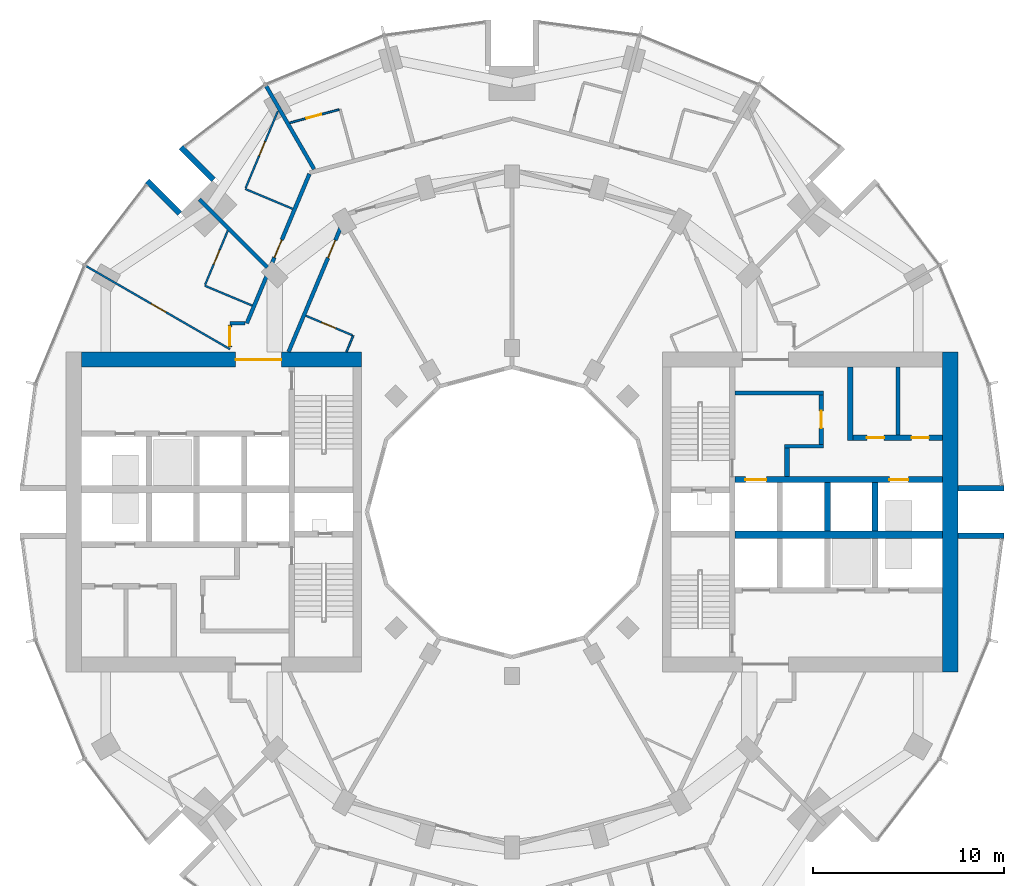
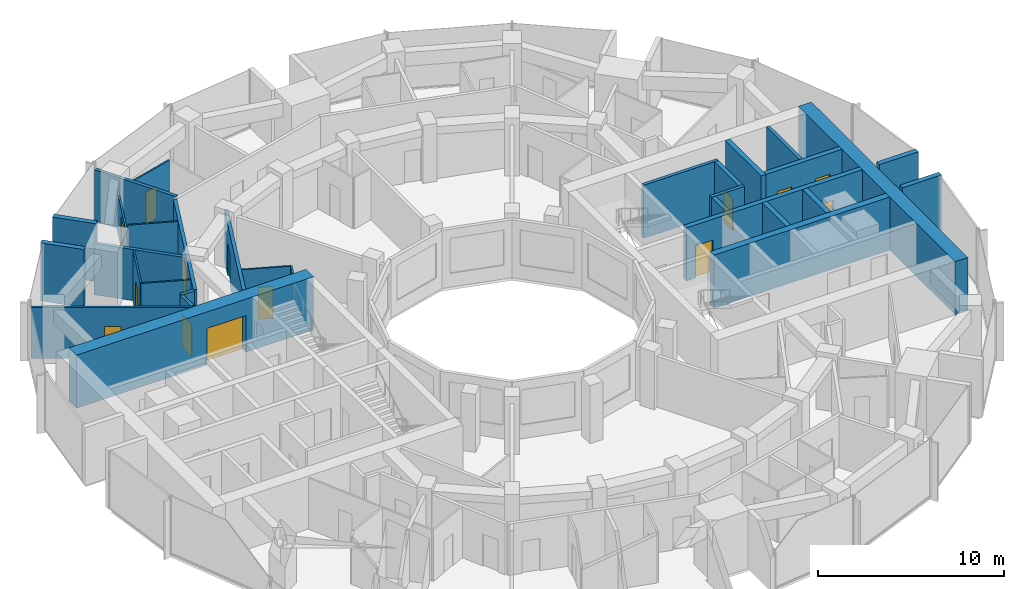
# One storey, part 11 of 15: 31 walls, 14 doors, 14 openings.
"""IFC4 building model written with IfcOpenShell, lengths in metres."""

import ifcopenshell
import ifcopenshell.guid

model = None  # the IFC model being written
_history = None  # IfcOwnerHistory: only IFC2X3 demands one
_inside = {}  # id of a spatial element -> (the spatial element, [elements in it])
_under = {}  # id of a project, library or spatial element -> (it, [spatial elements below it])
_declared = {}  # id of a project -> (the project, [libraries it declares])
_typed = {}  # id of a type object -> (the type object, [elements of that type])
_made_of = {}  # id of a material, layer set ... -> (it, [elements and type objects made of it])


def new_model(schema):
    """Start an empty IFC model of exactly this schema.

    Asked for "IFC4X3", IfcOpenShell would pick the latest addendum, in which some entities
    have other attributes; the version numbers below select the first issue.
    IFC2X3 requires an IfcOwnerHistory on every rooted entity: one is made here for all.
    """
    global model, _history
    if schema == "IFC4X3":
        model = ifcopenshell.file(schema_version=(4, 3, 0, 0))
    else:
        model = ifcopenshell.file(schema=schema)
    _inside.clear()
    _under.clear()
    _declared.clear()
    _typed.clear()
    _made_of.clear()
    _history = None
    if model.schema == "IFC2X3":
        org = make("IfcOrganization", Name="unknown")
        user = make(
            "IfcPersonAndOrganization",
            ThePerson=make("IfcPerson", FamilyName="unknown"),
            TheOrganization=org,
        )
        app = make(
            "IfcApplication",
            ApplicationDeveloper=org,
            Version="unknown",
            ApplicationFullName="unknown",
            ApplicationIdentifier="unknown",
        )
        _history = make(
            "IfcOwnerHistory",
            OwningUser=user,
            OwningApplication=app,
            ChangeAction="ADDED",
            CreationDate=0,
        )
    return model


def make(cls, **values):
    """One entity of the class cls with the attributes given. An attribute that is None is left unset."""
    return model.create_entity(
        cls, **{name: value for name, value in values.items() if value is not None}
    )


def rooted(cls, **values):
    """An entity with a GlobalId (a new one), such as an element, a storey or a relation."""
    return make(cls, GlobalId=ifcopenshell.guid.new(), OwnerHistory=_history, **values)


def si_unit(unit_type, name, prefix=None):
    """IfcSIUnit, for example si_unit("LENGTHUNIT", "METRE", prefix="MILLI")."""
    return make("IfcSIUnit", UnitType=unit_type, Prefix=prefix, Name=name)


def assignment(units):
    """IfcUnitAssignment: the units of a project."""
    return None if units is None else make("IfcUnitAssignment", Units=units)


def point(xyz):
    """IfcCartesianPoint."""
    return None if xyz is None else make("IfcCartesianPoint", Coordinates=xyz)


def direction(xyz):
    """IfcDirection."""
    return None if xyz is None else make("IfcDirection", DirectionRatios=xyz)


def frame(location, z_axis=None, x_axis=None):
    """IfcAxis2Placement3D, a coordinate frame: its origin and axes. An axis left out is left unset."""
    return make(
        "IfcAxis2Placement3D",
        Location=point(location),
        Axis=direction(z_axis),
        RefDirection=direction(x_axis),
    )


def frame_2d(location, x_axis=None):
    """IfcAxis2Placement2D, a coordinate frame in the plane: its origin and x axis."""
    return make(
        "IfcAxis2Placement2D", Location=point(location), RefDirection=direction(x_axis)
    )


def origin():
    """The frame at (0, 0, 0) with its axes left unset."""
    return frame((0.0, 0.0, 0.0))


def place(relative_to, where):
    """IfcLocalPlacement: puts the frame where relative to a parent placement (None: the world)."""
    return make(
        "IfcLocalPlacement", PlacementRelTo=relative_to, RelativePlacement=where
    )


def context(
    kind, dimensions, precision=None, world=None, true_north=None, identifier=None
):
    """IfcGeometricRepresentationContext, for example the 3D "Model" context."""
    return make(
        "IfcGeometricRepresentationContext",
        ContextIdentifier=identifier,
        ContextType=kind,
        CoordinateSpaceDimension=dimensions,
        Precision=precision,
        WorldCoordinateSystem=world,
        TrueNorth=true_north,
    )


def subcontext(parent, identifier, kind, view, scale=None):
    """IfcGeometricRepresentationSubContext, for example "Body" below "Model"."""
    return make(
        "IfcGeometricRepresentationSubContext",
        ContextIdentifier=identifier,
        ContextType=kind,
        ParentContext=parent,
        TargetScale=scale,
        TargetView=view,
    )


def project(units=None, contexts=None):
    """IfcProject with its units and contexts."""
    return rooted(
        "IfcProject",
        Name="project",
        RepresentationContexts=contexts,
        UnitsInContext=assignment(units),
    )


def spatial(cls, under=None, at=None, **own):
    """A site, building, storey or space (cls), placed at a placement, below another one or the project."""
    s = rooted(cls, ObjectPlacement=at, **own)
    if under is not None:
        _under.setdefault(under.id(), (under, []))[1].append(s)
    return s


def profile(cls, at=None, kind="AREA", **sizes):
    """A parametric profile (cls). Its sizes go by their IFC names, for example OverallWidth=200.0."""
    return make(cls, ProfileType=kind, Position=at, **sizes)


def rectangle(**sizes):
    """IfcRectangleProfileDef."""
    return profile("IfcRectangleProfileDef", **sizes)


def extrude(swept, where, along, depth):
    """IfcExtrudedAreaSolid: the profile swept, set in the frame where, extruded along a direction by depth."""
    return make(
        "IfcExtrudedAreaSolid",
        SweptArea=swept,
        Position=where,
        ExtrudedDirection=direction(along),
        Depth=depth,
    )


def shape(context_of_items, identifier, shape_type, items):
    """IfcShapeRepresentation: the items that make up one representation, for example the "Body"."""
    return make(
        "IfcShapeRepresentation",
        ContextOfItems=context_of_items,
        RepresentationIdentifier=identifier,
        RepresentationType=shape_type,
        Items=items,
    )


def material(Name=None, Category=None):
    """IfcMaterial."""
    return make("IfcMaterial", Name=Name, Category=Category)


def layer(
    of_material, thickness, ventilated=None, Name=None, Category=None, Priority=None
):
    """IfcMaterialLayer: one layer of a wall or slab, of a material (None: an air gap)."""
    return make(
        "IfcMaterialLayer",
        Material=of_material,
        LayerThickness=thickness,
        IsVentilated=ventilated,
        Name=Name,
        Category=Category,
        Priority=Priority,
    )


def layer_set(layers, Name=None):
    """IfcMaterialLayerSet."""
    return make("IfcMaterialLayerSet", MaterialLayers=layers, LayerSetName=Name)


def made_of(thing, what):
    """Note that an element or type object is made of a material, layer set ...; save() writes the relation."""
    if what is not None:
        _made_of.setdefault(what.id(), (what, []))[1].append(thing)
    return thing


def type_object(cls, material=None, **own):
    """A type object (cls), such as IfcWallType, which elements share."""
    return made_of(rooted(cls, **own), material)


def element(
    cls,
    number,
    at=None,
    inside=None,
    cuts=None,
    type_object=None,
    material=None,
    context=None,
    identifier="Body",
    shape_type=None,
    held_by="IfcProductDefinitionShape",
    body=None,
    shapes=None,
    **own,
):
    """One element of the class cls, such as IfcWall. Its Tag is "e" and its number.

    at: its placement. inside: the storey or other place that contains it. cuts: it is an
    opening in that element (IfcRelVoidsElement). A single representation is given by context,
    identifier, shape_type and body (its items); several are given by shapes. held_by: the class
    of the entity that holds the representations. save() writes the other relations.
    """
    e = rooted(cls, Tag="e%d" % number, ObjectPlacement=at, **own)
    if body is not None:
        shapes = [shape(context, identifier, shape_type, body)]
    if shapes is not None:
        e.Representation = make(held_by, Representations=shapes)
    if inside is not None:
        _inside.setdefault(inside.id(), (inside, []))[1].append(e)
    if cuts is not None:
        rooted(
            "IfcRelVoidsElement", RelatingBuildingElement=cuts, RelatedOpeningElement=e
        )
    if type_object is not None:
        _typed.setdefault(type_object.id(), (type_object, []))[1].append(e)
    return made_of(e, material)


def fill(opening, filler):
    """IfcRelFillsElement: the door or window that sits in an opening."""
    return rooted(
        "IfcRelFillsElement",
        RelatingOpeningElement=opening,
        RelatedBuildingElement=filler,
    )


def aggregate(whole, parts):
    """IfcRelAggregates: a whole, such as a stair, and the parts it consists of."""
    return rooted("IfcRelAggregates", RelatingObject=whole, RelatedObjects=parts)


def save(model, path):
    """Write the relations noted so far, then the file.

    IfcRelAggregates (storeys below a building ...), IfcRelContainedInSpatialStructure (elements
    in a storey), IfcRelDefinesByType, IfcRelAssociatesMaterial and IfcRelDeclares: one each for
    every whole, place, type object, material and project.
    """
    for whole, parts in _under.values():
        aggregate(whole, parts)
    for where, things in _inside.values():
        rooted(
            "IfcRelContainedInSpatialStructure",
            RelatedElements=things,
            RelatingStructure=where,
        )
    for kind, things in _typed.values():
        rooted("IfcRelDefinesByType", RelatedObjects=things, RelatingType=kind)
    for what, things in _made_of.values():
        rooted("IfcRelAssociatesMaterial", RelatedObjects=things, RelatingMaterial=what)
    for by, libraries in _declared.values():
        rooted("IfcRelDeclares", RelatingContext=by, RelatedDefinitions=libraries)
    model.write(path)


model = new_model("IFC4")

# Units and contexts
model_context = context("Model", 3, precision=1e-05, world=origin(), true_north=direction((0.0, 1.0)))
body_context = subcontext(model_context, "Body", "Model", "MODEL_VIEW")
ifc_project = project(units=[si_unit("LENGTHUNIT", "METRE"), si_unit("AREAUNIT", "SQUARE_METRE"), si_unit("VOLUMEUNIT", "CUBIC_METRE"), si_unit("PLANEANGLEUNIT", "RADIAN"), si_unit("MASSUNIT", "GRAM", prefix="KILO")], contexts=[model_context])

# Site, building, storey
site_placement = place(None, origin())
site = spatial("IfcSite", under=ifc_project, at=site_placement, CompositionType="ELEMENT")
building_placement = place(site_placement, origin())
building = spatial("IfcBuilding", under=site, at=building_placement, Name="Torre Brocal", CompositionType="ELEMENT")
storey_placement = place(building_placement, frame((0.0, 0.0, 82.39990234375)))
storey = spatial("IfcBuildingStorey", under=building, at=storey_placement, Name="L18", CompositionType="ELEMENT", Elevation=82.39990234375)

# Walls
ifc_material_1 = material(Name="Masonry block", Category="masonry")
ifc_layer_1 = layer(ifc_material_1, 0.199951171875)
ifc_layer_set_1 = layer_set([ifc_layer_1], Name="Masonry block")
wall_type_1 = type_object("IfcWallType", Name="CORE PARTITION 200", PredefinedType="PARTITIONING", material=ifc_layer_set_1)
wall_1_placement = place(storey_placement, frame((100.25, 79.050048828125, 0.0), z_axis=(0.0, 0.0, 1.0), x_axis=(0.0, 1.0, 0.0)))
element("IfcWall", 1, at=wall_1_placement, inside=storey, type_object=wall_type_1, Name="Wall CP200", PredefinedType="PARTITIONING", context=body_context, shape_type="SweptSolid", body=[
    extrude(rectangle(XDim=3.550048828125, YDim=0.199951171875, at=frame_2d((1.77490234375, 0.0))), origin(), (0.0, 0.0, 1.0), 3.47998046875),
])
ifc_material_2 = material(Name="Concrete C80", Category="concrete")
ifc_layer_2 = layer(ifc_material_2, 0.199951171875)
ifc_layer_set_2 = layer_set([ifc_layer_2], Name="Concrete C80")
wall_type_2 = type_object("IfcWallType", Name="CORE WALL 200 C80", PredefinedType="SHEAR", material=ifc_layer_set_2)
wall_2_placement = place(storey_placement, frame((91.699951171875, 81.25, 0.0), z_axis=(0.0, 0.0, 1.0), x_axis=(1.0, 0.0, 0.0)))
element("IfcWall", 2, at=wall_2_placement, inside=storey, type_object=wall_type_2, Name="Wall CW200-80", PredefinedType="SHEAR", context=body_context, shape_type="SweptSolid", body=[
    extrude(rectangle(XDim=4.650146484375, YDim=0.199951171875, at=frame_2d((2.3251953125, 0.0))), origin(), (0.0, 0.0, 1.0), 3.47998046875),
])
wall_3_placement = place(storey_placement, frame((94.300048828125, 78.449951171875, 0.0), z_axis=(0.0, 0.0, 1.0), x_axis=(1.0, 0.0, 0.0)))
element("IfcWall", 3, at=wall_3_placement, inside=storey, type_object=wall_type_2, Name="Wall CW200-80", PredefinedType="SHEAR", context=body_context, shape_type="SweptSolid", body=[
    extrude(rectangle(XDim=2.050048828125, YDim=0.199951171875, at=frame_2d((1.02490234375, 0.0))), origin(), (0.0, 0.0, 1.0), 3.47998046875),
])

# Wall, opening, door
ifc_material_3 = material(Name="Concrete C80", Category="concrete")
ifc_layer_3 = layer(ifc_material_3, 0.25)
ifc_layer_set_3 = layer_set([ifc_layer_3], Name="Concrete C80")
wall_type_3 = type_object("IfcWallType", Name="CORE WALL 250 C80", PredefinedType="SHEAR", material=ifc_layer_set_3)
wall_4_placement = place(storey_placement, frame((96.22509765625, 78.550048828125, 0.0), z_axis=(0.0, 0.0, 1.0), x_axis=(0.0, 1.0, 0.0)))
wall_4 = element("IfcWall", 4, at=wall_4_placement, inside=storey, type_object=wall_type_3, Name="Wall CW250-80", PredefinedType="SHEAR", context=body_context, shape_type="SweptSolid", body=[
    extrude(rectangle(XDim=2.599853515625, YDim=0.25, at=frame_2d((1.2998046875, 0.0))), origin(), (0.0, 0.0, 1.0), 3.47998046875),
])
opening_1_placement = place(wall_4_placement, frame((0.85009765625, 0.0, 0.0)))
opening_1 = element("IfcOpeningElement", 5, at=opening_1_placement, cuts=wall_4, Name="Opening E-D15", PredefinedType="OPENING", context=body_context, shape_type="SweptSolid", body=[
    extrude(rectangle(XDim=0.89990234375, YDim=2.10009765625, at=frame_2d((0.449951171875, 1.050048828125))), frame((0.0, 0.135009765625, 0.0), z_axis=(0.0, -1.0, 0.0), x_axis=(1.0, 0.0, 0.0)), (0.0, 0.0, 1.0), 0.27001953125),
])
ifc_material_4 = material(Name="Steel A653", Category="steel")
door_type_1 = type_object("IfcDoorType", Name="LOBBY DOOR FD120 900X2100", OperationType="SINGLE_SWING_RIGHT", PredefinedType="DOOR", material=ifc_material_4)
door_1_placement = place(opening_1_placement, origin())
door_1 = element("IfcDoor", 6, at=door_1_placement, inside=storey, type_object=door_type_1, Name="Door E-D15", OperationType="SINGLE_SWING_LEFT", OverallHeight=2.10009765625, OverallWidth=0.89990234375, PredefinedType="DOOR", context=body_context, shape_type="SweptSolid", body=[
    extrude(rectangle(XDim=0.89990234375, YDim=2.10009765625, at=frame_2d((0.449951171875, 1.050048828125))), frame((0.0, 0.02490234375, 0.0), z_axis=(0.0, -1.0, 0.0), x_axis=(1.0, 0.0, 0.0)), (0.0, 0.0, 1.0), 0.050048828125),
])
fill(opening_1, door_1)

# Wall
wall_5_placement = place(storey_placement, frame((94.425048828125, 76.85009765625, 0.0), z_axis=(0.0, 0.0, 1.0), x_axis=(0.0, 1.0, 0.0)))
element("IfcWall", 7, at=wall_5_placement, inside=storey, type_object=wall_type_3, Name="Wall CW250-80", PredefinedType="SHEAR", context=body_context, shape_type="SweptSolid", body=[
    extrude(rectangle(XDim=1.5, YDim=0.25, at=frame_2d((0.75, 0.0))), origin(), (0.0, 0.0, 1.0), 3.47998046875),
])

# Wall, openings, doors
ifc_material_5 = material(Name="Concrete C80", Category="concrete")
ifc_layer_4 = layer(ifc_material_5, 0.300048828125)
ifc_layer_set_4 = layer_set([ifc_layer_4], Name="Concrete C80")
wall_type_4 = type_object("IfcWallType", Name="CORE WALL 300 C80", PredefinedType="SHEAR", material=ifc_layer_set_4)
wall_6_placement = place(storey_placement, frame((91.699951171875, 76.699951171875, 0.0), z_axis=(0.0, 0.0, 1.0), x_axis=(1.0, 0.0, 0.0)))
wall_6 = element("IfcWall", 8, at=wall_6_placement, inside=storey, type_object=wall_type_4, Name="Wall CW300-80", PredefinedType="SHEAR", context=body_context, shape_type="SweptSolid", body=[
    extrude(rectangle(XDim=10.900146484375, YDim=0.300048828125, at=frame_2d((5.4501953125, 0.0))), origin(), (0.0, 0.0, 1.0), 3.47998046875),
])
opening_2_placement = place(wall_6_placement, frame((0.550048828125, 0.0, 0.0)))
opening_2 = element("IfcOpeningElement", 9, at=opening_2_placement, cuts=wall_6, Name="Opening LD", PredefinedType="OPENING", context=body_context, shape_type="SweptSolid", body=[
    extrude(rectangle(XDim=1.10009765625, YDim=2.10009765625, at=frame_2d((0.550048828125, 1.050048828125))), frame((0.0, 0.159912109375, 0.0), z_axis=(0.0, -1.0, 0.0), x_axis=(1.0, 0.0, 0.0)), (0.0, 0.0, 1.0), 0.320068359375),
])
opening_3_placement = place(wall_6_placement, frame((8.10009765625, 0.0, 0.0)))
opening_3 = element("IfcOpeningElement", 10, at=opening_3_placement, cuts=wall_6, Name="Opening LD10", PredefinedType="OPENING", context=body_context, shape_type="SweptSolid", body=[
    extrude(rectangle(XDim=1.0, YDim=2.10009765625, at=frame_2d((0.5, 1.050048828125))), frame((0.0, 0.159912109375, 0.0), z_axis=(0.0, -1.0, 0.0), x_axis=(1.0, 0.0, 0.0)), (0.0, 0.0, 1.0), 0.320068359375),
])
ifc_material_6 = material(Name="Stainless steel AISI 316", Category="steel")
door_type_2 = type_object("IfcDoorType", Name="LIFT LANDING DOOR 1000X2100", OperationType="DOUBLE_DOOR_SLIDING", PredefinedType="DOOR", material=ifc_material_6)
door_2_placement = place(opening_3_placement, origin())
door_2 = element("IfcDoor", 11, at=door_2_placement, inside=storey, type_object=door_type_2, Name="Door LD10", OperationType="DOUBLE_DOOR_SLIDING", OverallHeight=2.10009765625, OverallWidth=1.0, PredefinedType="DOOR", context=body_context, shape_type="SweptSolid", body=[
    extrude(rectangle(XDim=1.0, YDim=2.10009765625, at=frame_2d((0.5, 1.050048828125))), frame((0.0, 0.02490234375, 0.0), z_axis=(0.0, -1.0, 0.0), x_axis=(1.0, 0.0, 0.0)), (0.0, 0.0, 1.0), 0.050048828125),
])
fill(opening_3, door_2)
ifc_material_7 = material(Name="Stainless steel AISI 316", Category="steel")
door_type_3 = type_object("IfcDoorType", Name="LIFT LANDING DOOR 1100X2100", OperationType="DOUBLE_DOOR_SLIDING", PredefinedType="DOOR", material=ifc_material_7)
door_3_placement = place(opening_2_placement, origin())
door_3 = element("IfcDoor", 12, at=door_3_placement, inside=storey, type_object=door_type_3, Name="Door LD", OperationType="DOUBLE_DOOR_SLIDING", OverallHeight=2.10009765625, OverallWidth=1.10009765625, PredefinedType="DOOR", context=body_context, shape_type="SweptSolid", body=[
    extrude(rectangle(XDim=1.10009765625, YDim=2.10009765625, at=frame_2d((0.550048828125, 1.050048828125))), frame((0.0, 0.02490234375, 0.0), z_axis=(0.0, -1.0, 0.0), x_axis=(1.0, 0.0, 0.0)), (0.0, 0.0, 1.0), 0.050048828125),
])
fill(opening_2, door_3)

# Walls
for number, where, z_axis, x_axis, name in (
    (13, (96.550048828125, 74.0, 0.0), (0.0, 0.0, 1.0), (0.0, 1.0, 0.0), "Wall CW300-80"),
    (14, (99.050048828125, 74.0, 0.0), (0.0, 0.0, 1.0), (0.0, 1.0, 0.0), "Wall CW300-80"),
):
    element("IfcWall", number, at=place(storey_placement, frame(where, z_axis=z_axis, x_axis=x_axis)), inside=storey, type_object=wall_type_4, Name=name, PredefinedType="SHEAR", context=body_context, shape_type="SweptSolid", body=[
        extrude(rectangle(XDim=2.550048828125, YDim=0.300048828125, at=frame_2d((1.27490234375, 0.0))), origin(), (0.0, 0.0, 1.0), 3.47998046875),
    ])
wall_7_placement = place(storey_placement, frame((97.75, 78.75, 0.0), z_axis=(0.0, 0.0, 1.0), x_axis=(0.0, 1.0, 0.0)))
element("IfcWall", 15, at=wall_7_placement, inside=storey, type_object=wall_type_4, Name="Wall CW300-80", PredefinedType="SHEAR", context=body_context, shape_type="SweptSolid", body=[
    extrude(rectangle(XDim=3.85009765625, YDim=0.300048828125, at=frame_2d((1.925048828125, 0.0))), origin(), (0.0, 0.0, 1.0), 3.47998046875),
])

# Wall, openings, doors
wall_8_placement = place(storey_placement, frame((97.89990234375, 78.89990234375, 0.0), z_axis=(0.0, 0.0, 1.0), x_axis=(1.0, 0.0, 0.0)))
wall_8 = element("IfcWall", 16, at=wall_8_placement, inside=storey, type_object=wall_type_4, Name="Wall CW300-80", PredefinedType="SHEAR", context=body_context, shape_type="SweptSolid", body=[
    extrude(rectangle(XDim=4.7001953125, YDim=0.300048828125, at=frame_2d((2.35009765625, 0.0))), origin(), (0.0, 0.0, 1.0), 3.47998046875),
])
opening_4_placement = place(wall_8_placement, frame((0.72509765625, 0.0, 0.0)))
opening_4 = element("IfcOpeningElement", 17, at=opening_4_placement, cuts=wall_8, Name="Opening E-D05", PredefinedType="OPENING", context=body_context, shape_type="SweptSolid", body=[
    extrude(rectangle(XDim=0.89990234375, YDim=2.10009765625, at=frame_2d((0.449951171875, 1.050048828125))), frame((0.0, 0.159912109375, 0.0), z_axis=(0.0, -1.0, 0.0), x_axis=(1.0, 0.0, 0.0)), (0.0, 0.0, 1.0), 0.320068359375),
])
opening_5_placement = place(wall_8_placement, frame((3.074951171875, 0.0, 0.0)))
opening_5 = element("IfcOpeningElement", 18, at=opening_5_placement, cuts=wall_8, Name="Opening E-D06", PredefinedType="OPENING", context=body_context, shape_type="SweptSolid", body=[
    extrude(rectangle(XDim=0.89990234375, YDim=2.10009765625, at=frame_2d((0.449951171875, 1.050048828125))), frame((0.0, 0.159912109375, 0.0), z_axis=(0.0, -1.0, 0.0), x_axis=(1.0, 0.0, 0.0)), (0.0, 0.0, 1.0), 0.320068359375),
])
ifc_material_8 = material(Name="Steel A653", Category="steel")
door_type_4 = type_object("IfcDoorType", Name="ROOM DOOR FD30S 900X2100", OperationType="SINGLE_SWING_LEFT", PredefinedType="DOOR", material=ifc_material_8)
door_4_placement = place(opening_4_placement, origin())
door_4 = element("IfcDoor", 19, at=door_4_placement, inside=storey, type_object=door_type_4, Name="Door E-D05", OperationType="SINGLE_SWING_RIGHT", OverallHeight=2.10009765625, OverallWidth=0.89990234375, PredefinedType="DOOR", context=body_context, shape_type="SweptSolid", body=[
    extrude(rectangle(XDim=0.89990234375, YDim=2.10009765625, at=frame_2d((0.449951171875, 1.050048828125))), frame((0.0, 0.02490234375, 0.0), z_axis=(0.0, -1.0, 0.0), x_axis=(1.0, 0.0, 0.0)), (0.0, 0.0, 1.0), 0.050048828125),
])
fill(opening_4, door_4)
door_5_placement = place(opening_5_placement, origin())
door_5 = element("IfcDoor", 20, at=door_5_placement, inside=storey, type_object=door_type_4, Name="Door E-D06", OperationType="SINGLE_SWING_LEFT", OverallHeight=2.10009765625, OverallWidth=0.89990234375, PredefinedType="DOOR", context=body_context, shape_type="SweptSolid", body=[
    extrude(rectangle(XDim=0.89990234375, YDim=2.10009765625, at=frame_2d((0.449951171875, 1.050048828125))), frame((0.0, 0.02490234375, 0.0), z_axis=(0.0, -1.0, 0.0), x_axis=(1.0, 0.0, 0.0)), (0.0, 0.0, 1.0), 0.050048828125),
])
fill(opening_5, door_5)

# Walls
ifc_material_9 = material(Name="Concrete C80", Category="concrete")
ifc_layer_5 = layer(ifc_material_9, 0.39990234375)
ifc_layer_set_5 = layer_set([ifc_layer_5], Name="Concrete C80")
wall_type_5 = type_object("IfcWallType", Name="CORE WALL 400 C80", PredefinedType="SHEAR", material=ifc_layer_set_5)
wall_9_placement = place(storey_placement, frame((91.699951171875, 73.800048828125, 0.0), z_axis=(0.0, 0.0, 1.0), x_axis=(1.0, 0.0, 0.0)))
element("IfcWall", 21, at=wall_9_placement, inside=storey, type_object=wall_type_5, Name="Wall CW400-80", PredefinedType="SHEAR", context=body_context, shape_type="SweptSolid", body=[
    extrude(rectangle(XDim=10.900146484375, YDim=0.39990234375, at=frame_2d((5.4501953125, 0.0))), origin(), (0.0, 0.0, 1.0), 3.47998046875),
])
ifc_material_10 = material(Name="Concrete C80", Category="concrete")
ifc_layer_6 = layer(ifc_material_10, 0.800048828125)
ifc_layer_set_6 = layer_set([ifc_layer_6], Name="Concrete C80")
wall_type_6 = type_object("IfcWallType", Name="CORE WALL 800 C80", PredefinedType="SHEAR", material=ifc_layer_set_6)
wall_10_placement = place(storey_placement, frame((103.0, 66.60009765625, 0.0), z_axis=(0.0, 0.0, 1.0), x_axis=(0.0, 1.0, 0.0)))
element("IfcWall", 22, at=wall_10_placement, inside=storey, type_object=wall_type_6, Name="Wall CW800-80", PredefinedType="SHEAR", context=body_context, shape_type="SweptSolid", body=[
    extrude(rectangle(XDim=16.7998046875, YDim=0.800048828125, at=frame_2d((8.39990234375, 0.0))), origin(), (0.0, 0.0, 1.0), 3.47998046875),
])

# Wall, opening, door
wall_11_placement = place(storey_placement, frame((72.10009765625, 83.0, 0.0), z_axis=(0.0, 0.0, 1.0), x_axis=(-1.0, 0.0, 0.0)))
wall_11 = element("IfcWall", 23, at=wall_11_placement, inside=storey, type_object=wall_type_6, Name="Wall CW800-80", PredefinedType="SHEAR", context=body_context, shape_type="SweptSolid", body=[
    extrude(rectangle(XDim=14.7001953125, YDim=0.800048828125, at=frame_2d((7.35009765625, 0.0))), origin(), (0.0, 0.0, 1.0), 3.47998046875),
])
opening_6_placement = place(wall_11_placement, frame((4.199951171875, 0.0, 0.0)))
opening_6 = element("IfcOpeningElement", 24, at=opening_6_placement, cuts=wall_11, Name="Opening W-D27", PredefinedType="OPENING", context=body_context, shape_type="SweptSolid", body=[
    extrude(rectangle(XDim=2.39990234375, YDim=2.39990234375, at=frame_2d((1.199951171875, 1.199951171875))), frame((0.0, 0.409912109375, 0.0), z_axis=(0.0, -1.0, 0.0), x_axis=(1.0, 0.0, 0.0)), (0.0, 0.0, 1.0), 0.820068359375),
])
ifc_material_11 = material(Name="Steel A653", Category="steel")
door_type_5 = type_object("IfcDoorType", Name="DOUBLE FIRE DOOR FD90 2400X2400", OperationType="DOUBLE_DOOR_SINGLE_SWING", PredefinedType="DOOR", material=ifc_material_11)
door_6_placement = place(opening_6_placement, origin())
door_6 = element("IfcDoor", 25, at=door_6_placement, inside=storey, type_object=door_type_5, Name="Door W-D27", OperationType="DOUBLE_DOOR_SINGLE_SWING", OverallHeight=2.39990234375, OverallWidth=2.39990234375, PredefinedType="DOOR", context=body_context, shape_type="SweptSolid", body=[
    extrude(rectangle(XDim=2.39990234375, YDim=2.39990234375, at=frame_2d((1.199951171875, 1.199951171875))), frame((0.0, 0.02490234375, 0.0), z_axis=(0.0, -1.0, 0.0), x_axis=(1.0, 0.0, 0.0)), (0.0, 0.0, 1.0), 0.050048828125),
])
fill(opening_6, door_6)

# Walls
ifc_material_12 = material(Name="Concrete C80", Category="concrete")
ifc_layer_7 = layer(ifc_material_12, 0.300048828125)
ifc_layer_set_7 = layer_set([ifc_layer_7], Name="Concrete C80")
wall_type_7 = type_object("IfcWallType", Name="NOTCH RETURN WALL 300 C80", PredefinedType="NOTDEFINED", material=ifc_layer_set_7)
for number, where, z_axis, x_axis, name in (
    (26, (103.39990234375, 73.75, 0.0), (0.0, 0.0, 1.0), (1.0, 0.0, 0.0), "NOTCH RETURN WALL"),
    (27, (103.39990234375, 76.25, 0.0), (0.0, 0.0, 1.0), (1.0, 0.0, 0.0), "NOTCH RETURN WALL"),
    (28, (64.337646484375, 92.43017578125, 0.0), (0.0, 0.0, 1.0), (-0.707106781187, 0.707106781187, 0.0), "NOTCH RETURN WALL"),
    (29, (62.56982421875, 90.662353515625, 0.0), (0.0, 0.0, 1.0), (-0.707106781187, 0.707106781187, 0.0), "NOTCH RETURN WALL"),
):
    element("IfcWall", number, at=place(storey_placement, frame(where, z_axis=z_axis, x_axis=x_axis)), inside=storey, type_object=wall_type_7, Name=name, PredefinedType="NOTDEFINED", context=body_context, shape_type="SweptSolid", body=[
        extrude(rectangle(XDim=2.415771484375, YDim=0.300048828125, at=frame_2d((1.2080078125, 0.0))), origin(), (0.0, 0.0, 1.0), 3.800048828125),
    ])

# Wall, opening, door
ifc_material_13 = material(Name="Gypsum board", Category="Gypsum")
ifc_layer_8 = layer(ifc_material_13, 0.10009765625)
ifc_layer_set_8 = layer_set([ifc_layer_8], Name="Gypsum board")
wall_type_8 = type_object("IfcWallType", Name="PARTITION 100", PredefinedType="PARTITIONING", material=ifc_layer_set_8)
wall_12_placement = place(storey_placement, frame((57.65869140625, 87.89892578125, 0.0), z_axis=(0.0, 0.0, 1.0), x_axis=(0.86602264145, -0.500004784474, 0.0)))
wall_12 = element("IfcWall", 30, at=wall_12_placement, inside=storey, type_object=wall_type_8, Name="ROOM PARTITION", PredefinedType="PARTITIONING", context=body_context, shape_type="SweptSolid", body=[
    extrude(rectangle(XDim=8.7080078125, YDim=0.10009765625, at=frame_2d((4.35400390625, 0.0))), origin(), (0.0, 0.0, 1.0), 3.35009765625),
])
opening_7_placement = place(wall_12_placement, frame((3.928955078125, 0.0, 0.0)))
opening_7 = element("IfcOpeningElement", 31, at=opening_7_placement, cuts=wall_12, Name="Opening H05-D16", PredefinedType="OPENING", context=body_context, shape_type="SweptSolid", body=[
    extrude(rectangle(XDim=0.89990234375, YDim=2.10009765625, at=frame_2d((0.449951171875, 1.050048828125))), frame((0.0, 0.06005859375, 0.0), z_axis=(0.0, -1.0, 0.0), x_axis=(1.0, 0.0, 0.0)), (0.0, 0.0, 1.0), 0.1201171875),
])
ifc_material_14 = material(Name="Timber", Category="wood")
door_type_6 = type_object("IfcDoorType", Name="ROOM DOOR 900X2100", OperationType="SINGLE_SWING_LEFT", PredefinedType="DOOR", material=ifc_material_14)
door_7_placement = place(opening_7_placement, frame((0.89990234375, 0.0, 0.0), z_axis=(0.0, 0.0, 1.0), x_axis=(-1.0, 0.0, 0.0)))
door_7 = element("IfcDoor", 32, at=door_7_placement, inside=storey, type_object=door_type_6, Name="H05-D16", OperationType="SINGLE_SWING_LEFT", OverallHeight=2.10009765625, OverallWidth=0.89990234375, PredefinedType="DOOR", context=body_context, shape_type="SweptSolid", body=[
    extrude(rectangle(XDim=0.89990234375, YDim=2.10009765625, at=frame_2d((0.449951171875, 1.050048828125))), frame((0.0, 0.02490234375, 0.0), z_axis=(0.0, -1.0, 0.0), x_axis=(1.0, 0.0, 0.0)), (0.0, 0.0, 1.0), 0.050048828125),
])
fill(opening_7, door_7)

wall_13_placement = place(storey_placement, frame((63.89599609375, 86.92041015625, 0.0), z_axis=(0.0, 0.0, 1.0), x_axis=(0.386485049699, 0.922295671875, 0.0)))
wall_13 = element("IfcWall", 33, at=wall_13_placement, inside=storey, type_object=wall_type_8, Name="BATHROOM WALL", PredefinedType="PARTITIONING", context=body_context, shape_type="SweptSolid", body=[
    extrude(rectangle(XDim=3.076904296875, YDim=0.10009765625, at=frame_2d((1.53857421875, 0.0))), origin(), (0.0, 0.0, 1.0), 3.35009765625),
])
opening_8_placement = place(wall_13_placement, frame((1.173583984375, 0.0, 0.0)))
opening_8 = element("IfcOpeningElement", 34, at=opening_8_placement, cuts=wall_13, Name="Opening H05-D15", PredefinedType="OPENING", context=body_context, shape_type="SweptSolid", body=[
    extrude(rectangle(XDim=0.800048828125, YDim=2.10009765625, at=frame_2d((0.39990234375, 1.050048828125))), frame((0.0, 0.06005859375, 0.0), z_axis=(0.0, -1.0, 0.0), x_axis=(1.0, 0.0, 0.0)), (0.0, 0.0, 1.0), 0.1201171875),
])
ifc_material_15 = material(Name="Timber", Category="wood")
door_type_7 = type_object("IfcDoorType", Name="BATHROOM DOOR 800X2100", OperationType="SINGLE_SWING_LEFT", PredefinedType="DOOR", material=ifc_material_15)
door_8_placement = place(opening_8_placement, frame((0.800048828125, 0.0, 0.0), z_axis=(0.0, 0.0, 1.0), x_axis=(-1.0, 0.0, 0.0)))
door_8 = element("IfcDoor", 35, at=door_8_placement, inside=storey, type_object=door_type_7, Name="H05-D15", OperationType="SINGLE_SWING_LEFT", OverallHeight=2.10009765625, OverallWidth=0.800048828125, PredefinedType="DOOR", context=body_context, shape_type="SweptSolid", body=[
    extrude(rectangle(XDim=0.800048828125, YDim=2.10009765625, at=frame_2d((0.39990234375, 1.050048828125))), frame((0.0, 0.02490234375, 0.0), z_axis=(0.0, -1.0, 0.0), x_axis=(1.0, 0.0, 0.0)), (0.0, 0.0, 1.0), 0.050048828125),
])
fill(opening_8, door_8)

# Walls
for number, where, z_axis, x_axis, name in (
    (36, (63.876953125, 86.8740234375, 0.0), (0.0, 0.0, 1.0), (0.922350337209, -0.386354572188, 0.0), "BATHROOM WALL"),
    (37, (66.0029296875, 91.949951171875, 0.0), (0.0, 0.0, 1.0), (0.922350337209, -0.386354572188, 0.0), "BATHROOM WALL"),
):
    element("IfcWall", number, at=place(storey_placement, frame(where, z_axis=z_axis, x_axis=x_axis)), inside=storey, type_object=wall_type_8, Name=name, PredefinedType="PARTITIONING", context=body_context, shape_type="SweptSolid", body=[
        extrude(rectangle(XDim=2.7001953125, YDim=0.10009765625, at=frame_2d((1.35009765625, 0.0))), origin(), (0.0, 0.0, 1.0), 3.35009765625),
    ])

# Wall, opening, door
wall_14_placement = place(storey_placement, frame((68.34326171875, 95.421142578125, 0.0), z_axis=(0.0, 0.0, 1.0), x_axis=(0.965922846648, 0.258830165017, 0.0)))
wall_14 = element("IfcWall", 38, at=wall_14_placement, inside=storey, type_object=wall_type_8, Name="BATHROOM WALL", PredefinedType="PARTITIONING", context=body_context, shape_type="SweptSolid", body=[
    extrude(rectangle(XDim=2.6806640625, YDim=0.10009765625, at=frame_2d((1.34033203125, 0.0))), origin(), (0.0, 0.0, 1.0), 3.35009765625),
])
opening_9_placement = place(wall_14_placement, frame((0.905029296875, 0.0, 0.0)))
opening_9 = element("IfcOpeningElement", 39, at=opening_9_placement, cuts=wall_14, Name="Opening H05-D11", PredefinedType="OPENING", context=body_context, shape_type="SweptSolid", body=[
    extrude(rectangle(XDim=0.800048828125, YDim=2.10009765625, at=frame_2d((0.39990234375, 1.050048828125))), frame((0.0, 0.06005859375, 0.0), z_axis=(0.0, -1.0, 0.0), x_axis=(1.0, 0.0, 0.0)), (0.0, 0.0, 1.0), 0.1201171875),
])
door_9_placement = place(opening_9_placement, frame((0.800048828125, 0.0, 0.0), z_axis=(0.0, 0.0, 1.0), x_axis=(-1.0, 0.0, 0.0)))
door_9 = element("IfcDoor", 40, at=door_9_placement, inside=storey, type_object=door_type_7, Name="H05-D11", OperationType="SINGLE_SWING_RIGHT", OverallHeight=2.10009765625, OverallWidth=0.800048828125, PredefinedType="DOOR", context=body_context, shape_type="SweptSolid", body=[
    extrude(rectangle(XDim=0.800048828125, YDim=2.10009765625, at=frame_2d((0.39990234375, 1.050048828125))), frame((0.0, 0.02490234375, 0.0), z_axis=(0.0, -1.0, 0.0), x_axis=(1.0, 0.0, 0.0)), (0.0, 0.0, 1.0), 0.050048828125),
])
fill(opening_9, door_9)

wall_15_placement = place(storey_placement, frame((69.1806640625, 85.298095703125, 0.0), z_axis=(0.0, 0.0, 1.0), x_axis=(0.922377635784, -0.38628939541, 0.0)))
wall_15 = element("IfcWall", 41, at=wall_15_placement, inside=storey, type_object=wall_type_8, Name="BATHROOM WALL", PredefinedType="PARTITIONING", context=body_context, shape_type="SweptSolid", body=[
    extrude(rectangle(XDim=2.650146484375, YDim=0.10009765625, at=frame_2d((1.3251953125, 0.0))), origin(), (0.0, 0.0, 1.0), 3.35009765625),
])
opening_10_placement = place(wall_15_placement, frame((0.89990234375, 0.0, 0.0)))
opening_10 = element("IfcOpeningElement", 42, at=opening_10_placement, cuts=wall_15, Name="Opening H05-D23", PredefinedType="OPENING", context=body_context, shape_type="SweptSolid", body=[
    extrude(rectangle(XDim=0.800048828125, YDim=2.10009765625, at=frame_2d((0.39990234375, 1.050048828125))), frame((0.0, 0.06005859375, 0.0), z_axis=(0.0, -1.0, 0.0), x_axis=(1.0, 0.0, 0.0)), (0.0, 0.0, 1.0), 0.1201171875),
])
door_10_placement = place(opening_10_placement, frame((0.800048828125, 0.0, 0.0), z_axis=(0.0, 0.0, 1.0), x_axis=(-1.0, 0.0, 0.0)))
door_10 = element("IfcDoor", 43, at=door_10_placement, inside=storey, type_object=door_type_7, Name="H05-D23", OperationType="SINGLE_SWING_RIGHT", OverallHeight=2.10009765625, OverallWidth=0.800048828125, PredefinedType="DOOR", context=body_context, shape_type="SweptSolid", body=[
    extrude(rectangle(XDim=0.800048828125, YDim=2.10009765625, at=frame_2d((0.39990234375, 1.050048828125))), frame((0.0, 0.02490234375, 0.0), z_axis=(0.0, -1.0, 0.0), x_axis=(1.0, 0.0, 0.0)), (0.0, 0.0, 1.0), 0.050048828125),
])
fill(opening_10, door_10)

# Wall
wall_16_placement = place(storey_placement, frame((71.31298828125, 83.39990234375, 0.0), z_axis=(0.0, 0.0, 1.0), x_axis=(0.386148512695, 0.922436624459, 0.0)))
element("IfcWall", 44, at=wall_16_placement, inside=storey, type_object=wall_type_8, Name="BATHROOM WALL", PredefinedType="PARTITIONING", context=body_context, shape_type="SweptSolid", body=[
    extrude(rectangle(XDim=0.9267578125, YDim=0.10009765625, at=frame_2d((0.46337890625, 0.0))), origin(), (0.0, 0.0, 1.0), 3.35009765625),
])

# Wall, opening, door
ifc_material_16 = material(Name="Gypsum board", Category="Gypsum")
ifc_layer_9 = layer(ifc_material_16, 0.10009765625)
ifc_layer_set_9 = layer_set([ifc_layer_9], Name="Gypsum board")
wall_type_9 = type_object("IfcWallType", Name="PARTITION 100 UNDER BEAM 1220", PredefinedType="PARTITIONING", material=ifc_layer_set_9)
wall_17_placement = place(storey_placement, frame((66.022705078125, 91.995849609375, 0.0), z_axis=(0.0, 0.0, 1.0), x_axis=(0.386497426192, 0.922290485447, 0.0)))
wall_17 = element("IfcWall", 45, at=wall_17_placement, inside=storey, type_object=wall_type_9, Name="BATHROOM WALL", PredefinedType="PARTITIONING", context=body_context, shape_type="SweptSolid", body=[
    extrude(rectangle(XDim=4.382568359375, YDim=0.10009765625, at=frame_2d((2.19140625, 0.0))), origin(), (0.0, 0.0, 1.0), 2.580078125),
])
opening_11_placement = place(wall_17_placement, frame((1.84130859375, 0.0, 0.0)))
opening_11 = element("IfcOpeningElement", 46, at=opening_11_placement, cuts=wall_17, Name="Opening H05-D13", PredefinedType="OPENING", context=body_context, shape_type="SweptSolid", body=[
    extrude(rectangle(XDim=0.800048828125, YDim=2.10009765625, at=frame_2d((0.39990234375, 1.050048828125))), frame((0.0, 0.06005859375, 0.0), z_axis=(0.0, -1.0, 0.0), x_axis=(1.0, 0.0, 0.0)), (0.0, 0.0, 1.0), 0.1201171875),
])
door_11_placement = place(opening_11_placement, frame((0.800048828125, 0.0, 0.0), z_axis=(0.0, 0.0, 1.0), x_axis=(-1.0, 0.0, 0.0)))
door_11 = element("IfcDoor", 47, at=door_11_placement, inside=storey, type_object=door_type_7, Name="H05-D13", OperationType="SINGLE_SWING_LEFT", OverallHeight=2.10009765625, OverallWidth=0.800048828125, PredefinedType="DOOR", context=body_context, shape_type="SweptSolid", body=[
    extrude(rectangle(XDim=0.800048828125, YDim=2.10009765625, at=frame_2d((0.39990234375, 1.050048828125))), frame((0.0, 0.02490234375, 0.0), z_axis=(0.0, -1.0, 0.0), x_axis=(1.0, 0.0, 0.0)), (0.0, 0.0, 1.0), 0.050048828125),
])
fill(opening_11, door_11)

# Wall
ifc_material_17 = material(Name="Gypsum board", Category="Gypsum")
ifc_layer_10 = layer(ifc_material_17, 0.199951171875)
ifc_layer_set_10 = layer_set([ifc_layer_10], Name="Gypsum board")
wall_type_10 = type_object("IfcWallType", Name="PARTITION 200 EI60", PredefinedType="PARTITIONING", material=ifc_layer_set_10)
wall_18_placement = place(storey_placement, frame((63.599609375, 91.4091796875, 0.0), z_axis=(0.0, 0.0, 1.0), x_axis=(0.70693749829, -0.707276023566, 0.0)))
element("IfcWall", 48, at=wall_18_placement, inside=storey, type_object=wall_type_10, Name="BATHROOM WALL", PredefinedType="PARTITIONING", context=body_context, shape_type="SweptSolid", body=[
    extrude(rectangle(XDim=5.04833984375, YDim=0.199951171875, at=frame_2d((2.524169921875, 0.0))), origin(), (0.0, 0.0, 1.0), 3.35009765625),
])

# Wall, opening, door
wall_19_placement = place(storey_placement, frame((65.199951171875, 83.64990234375, 0.0), z_axis=(0.0, 0.0, 1.0), x_axis=(0.0, 1.0, 0.0)))
wall_19 = element("IfcWall", 49, at=wall_19_placement, inside=storey, type_object=wall_type_10, Name="GUESTROOM CORRIDOR WALL", PredefinedType="PARTITIONING", context=body_context, shape_type="SweptSolid", body=[
    extrude(rectangle(XDim=1.150146484375, YDim=0.199951171875, at=frame_2d((0.5751953125, 0.0))), origin(), (0.0, 0.0, 1.0), 3.35009765625),
])
opening_12_placement = place(wall_19_placement, frame((0.0625, 0.0, 0.0)))
opening_12 = element("IfcOpeningElement", 50, at=opening_12_placement, cuts=wall_19, Name="Opening H05-D14", PredefinedType="OPENING", context=body_context, shape_type="SweptSolid", body=[
    extrude(rectangle(XDim=1.0, YDim=2.10009765625, at=frame_2d((0.5, 1.050048828125))), frame((0.0, 0.10986328125, 0.0), z_axis=(0.0, -1.0, 0.0), x_axis=(1.0, 0.0, 0.0)), (0.0, 0.0, 1.0), 0.219970703125),
])
ifc_material_18 = material(Name="Timber", Category="wood")
door_type_8 = type_object("IfcDoorType", Name="FLAT ENTRY DOOR FD30S 1000X2100", OperationType="SINGLE_SWING_RIGHT", PredefinedType="DOOR", material=ifc_material_18)
door_12_placement = place(opening_12_placement, origin())
door_12 = element("IfcDoor", 51, at=door_12_placement, inside=storey, type_object=door_type_8, Name="H05-D14", OperationType="SINGLE_SWING_RIGHT", OverallHeight=2.10009765625, OverallWidth=1.0, PredefinedType="DOOR", context=body_context, shape_type="SweptSolid", body=[
    extrude(rectangle(XDim=1.0, YDim=2.10009765625, at=frame_2d((0.5, 1.050048828125))), frame((0.0, 0.02490234375, 0.0), z_axis=(0.0, -1.0, 0.0), x_axis=(1.0, 0.0, 0.0)), (0.0, 0.0, 1.0), 0.050048828125),
])
fill(opening_12, door_12)

# Wall
wall_20_placement = place(storey_placement, frame((65.199951171875, 84.89990234375, 0.0), z_axis=(0.0, 0.0, 1.0), x_axis=(1.0, 0.0, 0.0)))
element("IfcWall", 52, at=wall_20_placement, inside=storey, type_object=wall_type_10, Name="GUESTROOM CORRIDOR WALL", PredefinedType="PARTITIONING", context=body_context, shape_type="SweptSolid", body=[
    extrude(rectangle(XDim=0.796142578125, YDim=0.199951171875, at=frame_2d((0.39794921875, 0.0))), origin(), (0.0, 0.0, 1.0), 3.35009765625),
])

# Wall, opening, door
wall_21_placement = place(storey_placement, frame((66.085205078125, 84.900390625, 0.0), z_axis=(0.0, 0.0, 1.0), x_axis=(0.386676248006, 0.922215527536, 0.0)))
wall_21 = element("IfcWall", 53, at=wall_21_placement, inside=storey, type_object=wall_type_10, Name="GUESTROOM CORRIDOR WALL", PredefinedType="PARTITIONING", context=body_context, shape_type="SweptSolid", body=[
    extrude(rectangle(XDim=8.500244140625, YDim=0.199951171875, at=frame_2d((4.25, 0.0))), origin(), (0.0, 0.0, 1.0), 3.35009765625),
])
opening_13_placement = place(wall_21_placement, frame((3.74755859375, 0.0, 0.0)))
opening_13 = element("IfcOpeningElement", 54, at=opening_13_placement, cuts=wall_21, Name="Opening H05-D12", PredefinedType="OPENING", context=body_context, shape_type="SweptSolid", body=[
    extrude(rectangle(XDim=1.0, YDim=2.10009765625, at=frame_2d((0.5, 1.050048828125))), frame((0.0, 0.10986328125, 0.0), z_axis=(0.0, -1.0, 0.0), x_axis=(1.0, 0.0, 0.0)), (0.0, 0.0, 1.0), 0.219970703125),
])
door_13_placement = place(opening_13_placement, origin())
door_13 = element("IfcDoor", 55, at=door_13_placement, inside=storey, type_object=door_type_8, Name="H05-D12", OperationType="SINGLE_SWING_LEFT", OverallHeight=2.10009765625, OverallWidth=1.0, PredefinedType="DOOR", context=body_context, shape_type="SweptSolid", body=[
    extrude(rectangle(XDim=1.0, YDim=2.10009765625, at=frame_2d((0.5, 1.050048828125))), frame((0.0, 0.02490234375, 0.0), z_axis=(0.0, -1.0, 0.0), x_axis=(1.0, 0.0, 0.0)), (0.0, 0.0, 1.0), 0.050048828125),
])
fill(opening_13, door_13)

# Wall
wall_22_placement = place(storey_placement, frame((67.1044921875, 97.34326171875, 0.0), z_axis=(0.0, 0.0, 1.0), x_axis=(0.499799615385, -0.866141064989, 0.0)))
element("IfcWall", 56, at=wall_22_placement, inside=storey, type_object=wall_type_10, Name="BATHROOM WALL", PredefinedType="PARTITIONING", context=body_context, shape_type="SweptSolid", body=[
    extrude(rectangle(XDim=5.021484375, YDim=0.199951171875, at=frame_2d((2.5107421875, 0.0))), origin(), (0.0, 0.0, 1.0), 3.35009765625),
])

# Wall, opening, door
wall_23_placement = place(storey_placement, frame((68.276611328125, 83.400146484375, 0.0), z_axis=(0.0, 0.0, 1.0), x_axis=(0.386454861164, 0.922308321703, 0.0)))
wall_23 = element("IfcWall", 57, at=wall_23_placement, inside=storey, type_object=wall_type_10, Name="GUESTROOM CORRIDOR WALL", PredefinedType="PARTITIONING", context=body_context, shape_type="SweptSolid", body=[
    extrude(rectangle(XDim=7.76220703125, YDim=0.199951171875, at=frame_2d((3.881103515625, 0.0))), origin(), (0.0, 0.0, 1.0), 3.35009765625),
])
opening_14_placement = place(wall_23_placement, frame((5.3505859375, 0.0, 0.0)))
opening_14 = element("IfcOpeningElement", 58, at=opening_14_placement, cuts=wall_23, Name="Opening H05-D22", PredefinedType="OPENING", context=body_context, shape_type="SweptSolid", body=[
    extrude(rectangle(XDim=1.0, YDim=2.10009765625, at=frame_2d((0.5, 1.050048828125))), frame((0.0, 0.10986328125, 0.0), z_axis=(0.0, -1.0, 0.0), x_axis=(1.0, 0.0, 0.0)), (0.0, 0.0, 1.0), 0.219970703125),
])
door_14_placement = place(opening_14_placement, frame((1.0, 0.0, 0.0), z_axis=(0.0, 0.0, 1.0), x_axis=(-1.0, 0.0, 0.0)))
door_14 = element("IfcDoor", 59, at=door_14_placement, inside=storey, type_object=door_type_8, Name="H05-D22", OperationType="SINGLE_SWING_LEFT", OverallHeight=2.10009765625, OverallWidth=1.0, PredefinedType="DOOR", context=body_context, shape_type="SweptSolid", body=[
    extrude(rectangle(XDim=1.0, YDim=2.10009765625, at=frame_2d((0.5, 1.050048828125))), frame((0.0, 0.02490234375, 0.0), z_axis=(0.0, -1.0, 0.0), x_axis=(1.0, 0.0, 0.0)), (0.0, 0.0, 1.0), 0.050048828125),
])
fill(opening_14, door_14)

save(model, "model.ifc")
